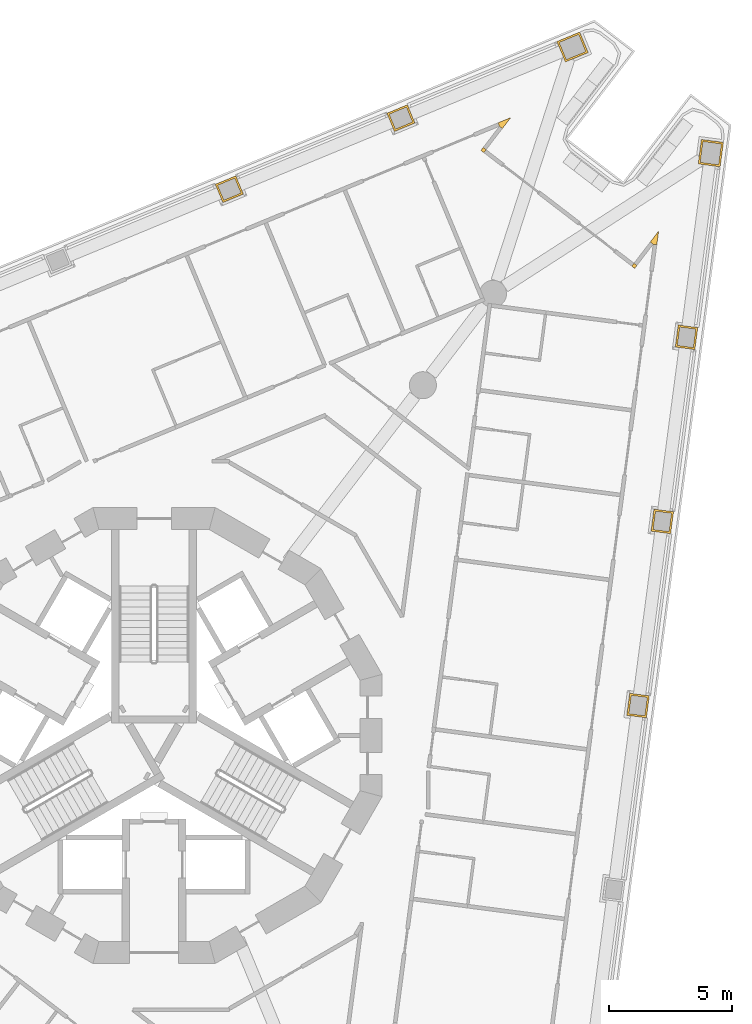
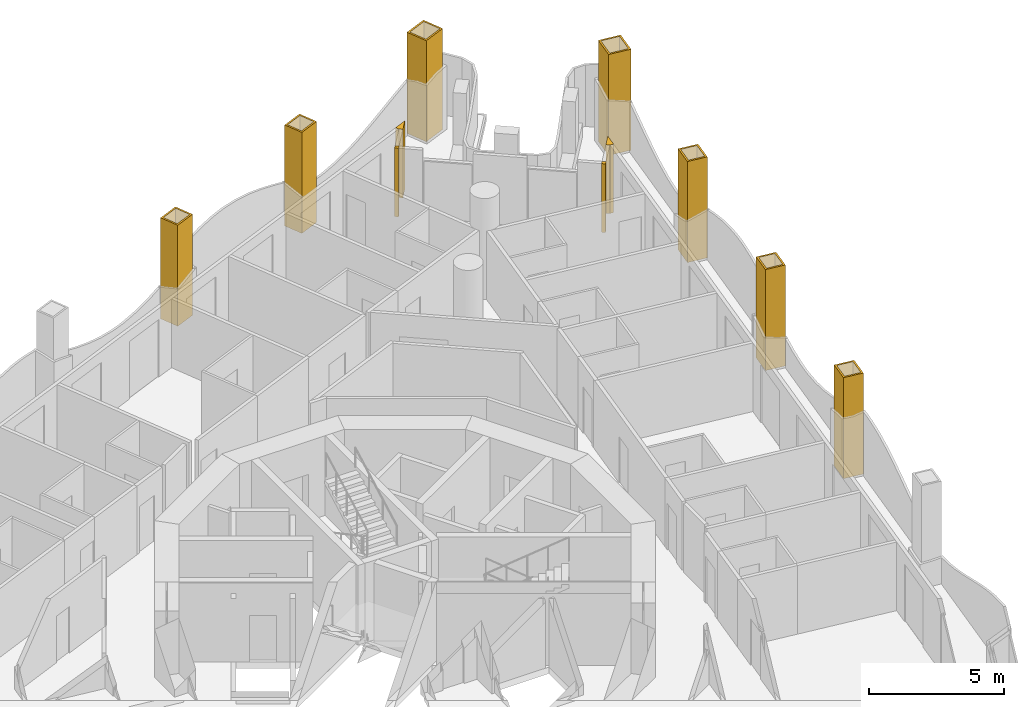
# One storey, part 16 of 17: 11 coverings.
"""IFC4 building model written with IfcOpenShell, lengths in metres."""

from ifc_helpers import new_model, si_unit, direction, frame, origin, place, context, subcontext, project, spatial, polyline, outline, extrude, material, layer, layer_set, type_object, element, save


model = new_model("IFC4")

# Units and contexts
model_context = context("Model", 3, precision=1e-05, world=origin(), true_north=direction((0.0, 1.0)))
body_context = subcontext(model_context, "Body", "Model", "MODEL_VIEW")
ifc_project = project(units=[si_unit("LENGTHUNIT", "METRE"), si_unit("AREAUNIT", "SQUARE_METRE"), si_unit("VOLUMEUNIT", "CUBIC_METRE"), si_unit("PLANEANGLEUNIT", "RADIAN"), si_unit("MASSUNIT", "GRAM", prefix="KILO")], contexts=[model_context])

# Site, building, storey
site_placement = place(None, origin())
site = spatial("IfcSite", under=ifc_project, at=site_placement, CompositionType="ELEMENT")
building_placement = place(site_placement, origin())
building = spatial("IfcBuilding", under=site, at=building_placement, Name="Trine Commons Tower", CompositionType="ELEMENT")
storey_placement = place(building_placement, frame((0.0, 0.0, 153.0)))
storey = spatial("IfcBuildingStorey", under=building, at=storey_placement, Name="L39", CompositionType="ELEMENT", Elevation=153.0)

# Coverings
ifc_material_1 = material(Name="Aluminium-framed insulated wall panel", Category="aluminium")
ifc_layer_1 = layer(ifc_material_1, 0.14990234375)
ifc_layer_set_1 = layer_set([ifc_layer_1], Name="Aluminium-framed insulated wall panel")
covering_type_1 = type_object("IfcCoveringType", Name="Glazing corner post, aluminium", PredefinedType="CLADDING", material=ifc_layer_set_1)
covering_1_placement = place(storey_placement, origin())
element("IfcCovering", 1, at=covering_1_placement, inside=storey, type_object=covering_type_1, Name="Glazing corner post 4-05", PredefinedType="CLADDING", context=body_context, shape_type="SweptSolid", body=[
    extrude(outline(polyline([(94.04248046875, 87.272705078125), (94.04248046875, 87.272705078125), (94.16162109375, 87.181396484375), (94.50244140625, 87.62548828125), (93.985107421875, 87.411376953125), (94.04248046875, 87.272705078125)])), origin(), (0.0, 0.0, 1.0), 3.10009765625),
])
covering_2_placement = place(storey_placement, origin())
element("IfcCovering", 2, at=covering_2_placement, inside=storey, type_object=covering_type_1, Name="Glazing corner post 4-06", PredefinedType="CLADDING", context=body_context, shape_type="SweptSolid", body=[
    extrude(outline(polyline([(93.4091796875, 86.201171875), (93.50048828125, 86.320068359375), (93.381591796875, 86.411376953125), (93.290283203125, 86.29248046875), (93.4091796875, 86.201171875)])), origin(), (0.0, 0.0, 1.0), 3.10009765625),
])
covering_3_placement = place(storey_placement, origin())
element("IfcCovering", 3, at=covering_3_placement, inside=storey, type_object=covering_type_1, Name="Glazing corner post 4-07", PredefinedType="CLADDING", context=body_context, shape_type="SweptSolid", body=[
    extrude(outline(polyline([(99.4228515625, 81.586669921875), (99.5419921875, 81.495361328125), (99.63330078125, 81.614501953125), (99.514404296875, 81.705810546875), (99.4228515625, 81.586669921875)])), origin(), (0.0, 0.0, 1.0), 3.10009765625),
])
covering_4_placement = place(storey_placement, origin())
element("IfcCovering", 4, at=covering_4_placement, inside=storey, type_object=covering_type_1, Name="Glazing corner post 4-08", PredefinedType="CLADDING", context=body_context, shape_type="SweptSolid", body=[
    extrude(outline(polyline([(100.44287109375, 82.456298828125), (100.51611328125, 83.01123046875), (100.17529296875, 82.567138671875), (100.294189453125, 82.475830078125), (100.44287109375, 82.456298828125)])), origin(), (0.0, 0.0, 1.0), 3.10009765625),
])
ifc_material_2 = material(Name="Limestone, honed", Category="masonry")
ifc_layer_2 = layer(ifc_material_2, 0.074951171875)
ifc_layer_set_2 = layer_set([ifc_layer_2], Name="Limestone, honed")
covering_type_2 = type_object("IfcCoveringType", Name="Limestone column cladding 75", PredefinedType="CLADDING", material=ifc_layer_set_2)
covering_5_placement = place(storey_placement, origin())
element("IfcCovering", 5, at=covering_5_placement, inside=storey, type_object=covering_type_2, Name="Limestone pier cladding 4-14", PredefinedType="CLADDING", context=body_context, shape_type="SweptSolid", body=[
    extrude(outline(polyline([(83.62841796875, 84.517822265625), (83.322265625, 85.2568359375), (82.49072265625, 84.912353515625), (82.796875, 84.17333984375), (83.62841796875, 84.517822265625)]), holes=[polyline([(83.5302734375, 84.558349609375), (83.281494140625, 85.158935546875), (82.588623046875, 84.871826171875), (82.83740234375, 84.271240234375), (83.5302734375, 84.558349609375)])]), origin(), (0.0, 0.0, 1.0), 4.565185546875),
])
covering_6_placement = place(storey_placement, origin())
element("IfcCovering", 6, at=covering_6_placement, inside=storey, type_object=covering_type_2, Name="Limestone pier cladding 4-15", PredefinedType="CLADDING", context=body_context, shape_type="SweptSolid", body=[
    extrude(outline(polyline([(90.60546875, 87.40771484375), (90.29931640625, 88.14697265625), (89.4677734375, 87.802490234375), (89.77392578125, 87.063232421875), (90.60546875, 87.40771484375)]), holes=[polyline([(90.50732421875, 87.4482421875), (90.2587890625, 88.048828125), (89.56591796875, 87.761962890625), (89.814453125, 87.161376953125), (90.50732421875, 87.4482421875)])]), origin(), (0.0, 0.0, 1.0), 4.565185546875),
])
covering_7_placement = place(storey_placement, origin())
element("IfcCovering", 7, at=covering_7_placement, inside=storey, type_object=covering_type_2, Name="Limestone pier cladding 4-16", PredefinedType="CLADDING", context=body_context, shape_type="SweptSolid", body=[
    extrude(outline(polyline([(97.647705078125, 90.270751953125), (97.30322265625, 91.102294921875), (96.37939453125, 90.719482421875), (96.723876953125, 89.887939453125), (97.647705078125, 90.270751953125)]), holes=[polyline([(97.5498046875, 90.311279296875), (97.2626953125, 91.004150390625), (96.477294921875, 90.678955078125), (96.764404296875, 89.986083984375), (97.5498046875, 90.311279296875)])]), origin(), (0.0, 0.0, 1.0), 4.565185546875),
])
covering_8_placement = place(storey_placement, origin())
element("IfcCovering", 8, at=covering_8_placement, inside=storey, type_object=covering_type_2, Name="Limestone pier cladding 4-17", PredefinedType="CLADDING", context=body_context, shape_type="SweptSolid", body=[
    extrude(outline(polyline([(103.149169921875, 86.61669921875), (102.2568359375, 86.734130859375), (102.126220703125, 85.74267578125), (103.0185546875, 85.625), (103.149169921875, 86.61669921875)]), holes=[polyline([(103.06494140625, 86.552001953125), (102.3212890625, 86.64990234375), (102.21044921875, 85.80712890625), (102.9541015625, 85.709228515625), (103.06494140625, 86.552001953125)])]), origin(), (0.0, 0.0, 1.0), 4.565185546875),
])
covering_9_placement = place(storey_placement, origin())
element("IfcCovering", 9, at=covering_9_placement, inside=storey, type_object=covering_type_2, Name="Limestone pier cladding 4-18", PredefinedType="CLADDING", context=body_context, shape_type="SweptSolid", body=[
    extrude(outline(polyline([(102.107421875, 79.086181640625), (101.314208984375, 79.190673828125), (101.19677734375, 78.29833984375), (101.98974609375, 78.19384765625), (102.107421875, 79.086181640625)]), holes=[polyline([(102.023193359375, 79.021484375), (101.378662109375, 79.1064453125), (101.28076171875, 78.36279296875), (101.92529296875, 78.278076171875), (102.023193359375, 79.021484375)])]), origin(), (0.0, 0.0, 1.0), 4.565185546875),
])
covering_10_placement = place(storey_placement, origin())
element("IfcCovering", 10, at=covering_10_placement, inside=storey, type_object=covering_type_2, Name="Limestone pier cladding 4-19", PredefinedType="CLADDING", context=body_context, shape_type="SweptSolid", body=[
    extrude(outline(polyline([(101.12158203125, 71.598876953125), (100.328369140625, 71.703369140625), (100.2109375, 70.81103515625), (101.00390625, 70.70654296875), (101.12158203125, 71.598876953125)]), holes=[polyline([(101.037353515625, 71.5341796875), (100.392822265625, 71.619140625), (100.294921875, 70.87548828125), (100.939453125, 70.790771484375), (101.037353515625, 71.5341796875)])]), origin(), (0.0, 0.0, 1.0), 4.565185546875),
])
covering_11_placement = place(storey_placement, origin())
element("IfcCovering", 11, at=covering_11_placement, inside=storey, type_object=covering_type_2, Name="Limestone pier cladding 4-20", PredefinedType="CLADDING", context=body_context, shape_type="SweptSolid", body=[
    extrude(outline(polyline([(100.1357421875, 64.111572265625), (99.3427734375, 64.216064453125), (99.22509765625, 63.32373046875), (100.018310546875, 63.21923828125), (100.1357421875, 64.111572265625)]), holes=[polyline([(100.0517578125, 64.047119140625), (99.4072265625, 64.1318359375), (99.309326171875, 63.38818359375), (99.953857421875, 63.303466796875), (100.0517578125, 64.047119140625)])]), origin(), (0.0, 0.0, 1.0), 4.565185546875),
])

save(model, "model.ifc")
